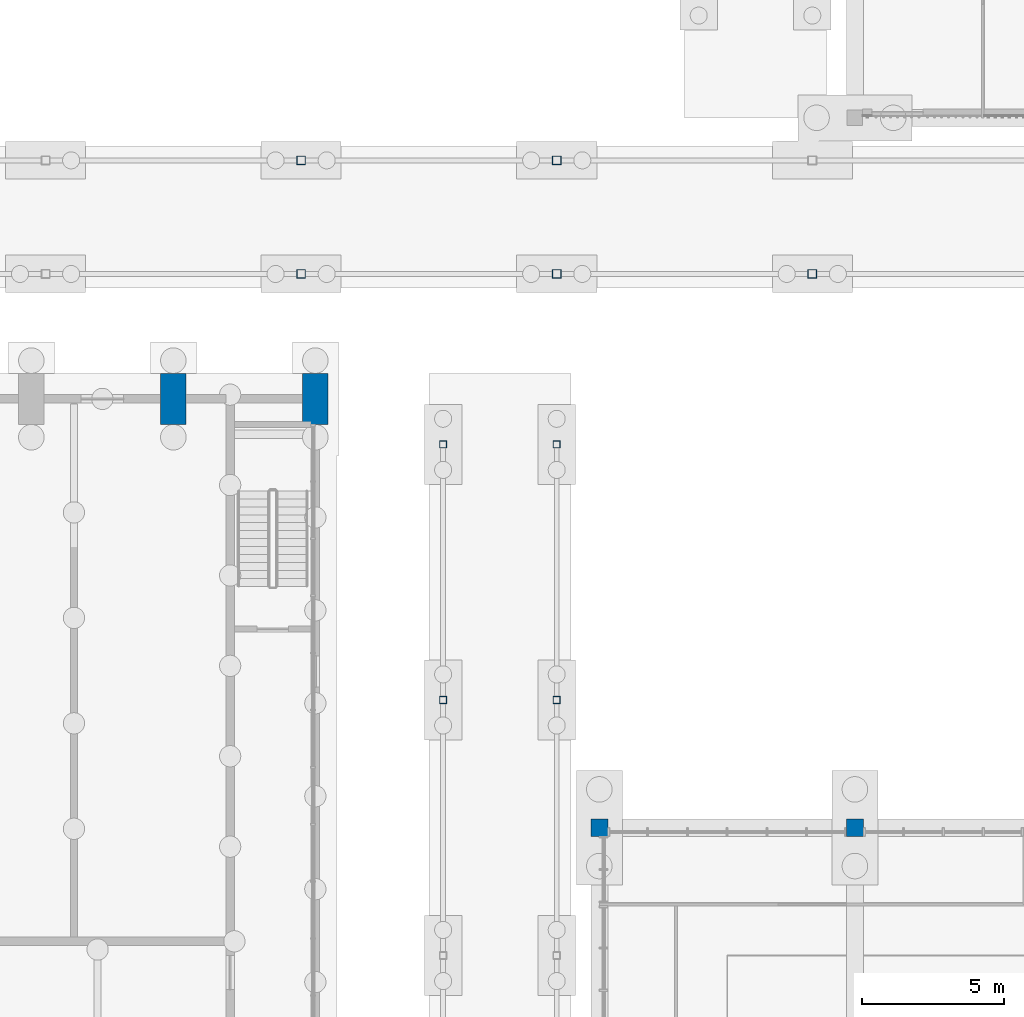
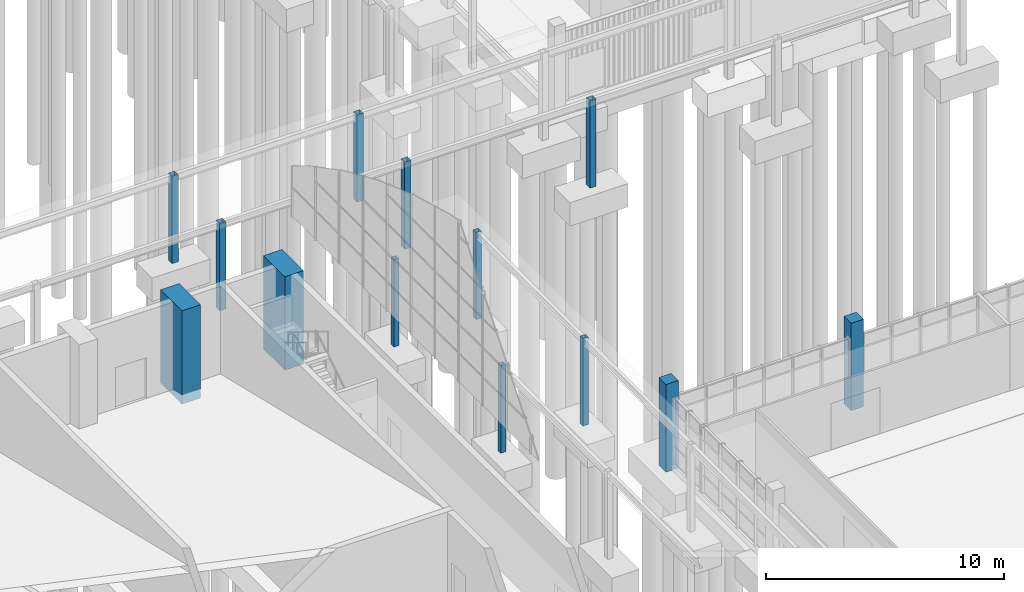
# One storey, part 12 of 106: 13 columns.
"""IFC4 building model written with IfcOpenShell, lengths in metres."""

import ifcopenshell
import ifcopenshell.guid

model = None  # the IFC model being written
_history = None  # IfcOwnerHistory: only IFC2X3 demands one
_inside = {}  # id of a spatial element -> (the spatial element, [elements in it])
_under = {}  # id of a project, library or spatial element -> (it, [spatial elements below it])
_declared = {}  # id of a project -> (the project, [libraries it declares])
_typed = {}  # id of a type object -> (the type object, [elements of that type])
_made_of = {}  # id of a material, layer set ... -> (it, [elements and type objects made of it])


def new_model(schema):
    """Start an empty IFC model of exactly this schema.

    Asked for "IFC4X3", IfcOpenShell would pick the latest addendum, in which some entities
    have other attributes; the version numbers below select the first issue.
    IFC2X3 requires an IfcOwnerHistory on every rooted entity: one is made here for all.
    """
    global model, _history
    if schema == "IFC4X3":
        model = ifcopenshell.file(schema_version=(4, 3, 0, 0))
    else:
        model = ifcopenshell.file(schema=schema)
    _inside.clear()
    _under.clear()
    _declared.clear()
    _typed.clear()
    _made_of.clear()
    _history = None
    if model.schema == "IFC2X3":
        org = make("IfcOrganization", Name="unknown")
        user = make(
            "IfcPersonAndOrganization",
            ThePerson=make("IfcPerson", FamilyName="unknown"),
            TheOrganization=org,
        )
        app = make(
            "IfcApplication",
            ApplicationDeveloper=org,
            Version="unknown",
            ApplicationFullName="unknown",
            ApplicationIdentifier="unknown",
        )
        _history = make(
            "IfcOwnerHistory",
            OwningUser=user,
            OwningApplication=app,
            ChangeAction="ADDED",
            CreationDate=0,
        )
    return model


def make(cls, **values):
    """One entity of the class cls with the attributes given. An attribute that is None is left unset."""
    return model.create_entity(
        cls, **{name: value for name, value in values.items() if value is not None}
    )


def rooted(cls, **values):
    """An entity with a GlobalId (a new one), such as an element, a storey or a relation."""
    return make(cls, GlobalId=ifcopenshell.guid.new(), OwnerHistory=_history, **values)


def si_unit(unit_type, name, prefix=None):
    """IfcSIUnit, for example si_unit("LENGTHUNIT", "METRE", prefix="MILLI")."""
    return make("IfcSIUnit", UnitType=unit_type, Prefix=prefix, Name=name)


def assignment(units):
    """IfcUnitAssignment: the units of a project."""
    return None if units is None else make("IfcUnitAssignment", Units=units)


def point(xyz):
    """IfcCartesianPoint."""
    return None if xyz is None else make("IfcCartesianPoint", Coordinates=xyz)


def direction(xyz):
    """IfcDirection."""
    return None if xyz is None else make("IfcDirection", DirectionRatios=xyz)


def frame(location, z_axis=None, x_axis=None):
    """IfcAxis2Placement3D, a coordinate frame: its origin and axes. An axis left out is left unset."""
    return make(
        "IfcAxis2Placement3D",
        Location=point(location),
        Axis=direction(z_axis),
        RefDirection=direction(x_axis),
    )


def frame_2d(location, x_axis=None):
    """IfcAxis2Placement2D, a coordinate frame in the plane: its origin and x axis."""
    return make(
        "IfcAxis2Placement2D", Location=point(location), RefDirection=direction(x_axis)
    )


def origin():
    """The frame at (0, 0, 0) with its axes left unset."""
    return frame((0.0, 0.0, 0.0))


def origin_2d():
    """The frame at (0, 0) in the plane with its x axis left unset."""
    return frame_2d((0.0, 0.0))


def place(relative_to, where):
    """IfcLocalPlacement: puts the frame where relative to a parent placement (None: the world)."""
    return make(
        "IfcLocalPlacement", PlacementRelTo=relative_to, RelativePlacement=where
    )


def context(
    kind, dimensions, precision=None, world=None, true_north=None, identifier=None
):
    """IfcGeometricRepresentationContext, for example the 3D "Model" context."""
    return make(
        "IfcGeometricRepresentationContext",
        ContextIdentifier=identifier,
        ContextType=kind,
        CoordinateSpaceDimension=dimensions,
        Precision=precision,
        WorldCoordinateSystem=world,
        TrueNorth=true_north,
    )


def subcontext(parent, identifier, kind, view, scale=None):
    """IfcGeometricRepresentationSubContext, for example "Body" below "Model"."""
    return make(
        "IfcGeometricRepresentationSubContext",
        ContextIdentifier=identifier,
        ContextType=kind,
        ParentContext=parent,
        TargetScale=scale,
        TargetView=view,
    )


def project(units=None, contexts=None):
    """IfcProject with its units and contexts."""
    return rooted(
        "IfcProject",
        Name="project",
        RepresentationContexts=contexts,
        UnitsInContext=assignment(units),
    )


def spatial(cls, under=None, at=None, **own):
    """A site, building, storey or space (cls), placed at a placement, below another one or the project."""
    s = rooted(cls, ObjectPlacement=at, **own)
    if under is not None:
        _under.setdefault(under.id(), (under, []))[1].append(s)
    return s


def profile(cls, at=None, kind="AREA", **sizes):
    """A parametric profile (cls). Its sizes go by their IFC names, for example OverallWidth=200.0."""
    return make(cls, ProfileType=kind, Position=at, **sizes)


def rectangle(**sizes):
    """IfcRectangleProfileDef."""
    return profile("IfcRectangleProfileDef", **sizes)


def hollow_rectangle(**sizes):
    """IfcRectangleHollowProfileDef."""
    return profile("IfcRectangleHollowProfileDef", **sizes)


def extrude(swept, where, along, depth):
    """IfcExtrudedAreaSolid: the profile swept, set in the frame where, extruded along a direction by depth."""
    return make(
        "IfcExtrudedAreaSolid",
        SweptArea=swept,
        Position=where,
        ExtrudedDirection=direction(along),
        Depth=depth,
    )


def shape(context_of_items, identifier, shape_type, items):
    """IfcShapeRepresentation: the items that make up one representation, for example the "Body"."""
    return make(
        "IfcShapeRepresentation",
        ContextOfItems=context_of_items,
        RepresentationIdentifier=identifier,
        RepresentationType=shape_type,
        Items=items,
    )


def material(Name=None, Category=None):
    """IfcMaterial."""
    return make("IfcMaterial", Name=Name, Category=Category)


def material_profile(
    of_material, cross_section, Name=None, Category=None, Priority=None
):
    """IfcMaterialProfile: a cross section and its material."""
    return make(
        "IfcMaterialProfile",
        Name=Name,
        Material=of_material,
        Profile=cross_section,
        Priority=Priority,
        Category=Category,
    )


def profile_set(profiles, Name=None, composite=None):
    """IfcMaterialProfileSet."""
    return make(
        "IfcMaterialProfileSet",
        Name=Name,
        MaterialProfiles=profiles,
        CompositeProfile=composite,
    )


def made_of(thing, what):
    """Note that an element or type object is made of a material, layer set ...; save() writes the relation."""
    if what is not None:
        _made_of.setdefault(what.id(), (what, []))[1].append(thing)
    return thing


def type_object(cls, material=None, **own):
    """A type object (cls), such as IfcWallType, which elements share."""
    return made_of(rooted(cls, **own), material)


def element(
    cls,
    number,
    at=None,
    inside=None,
    cuts=None,
    type_object=None,
    material=None,
    context=None,
    identifier="Body",
    shape_type=None,
    held_by="IfcProductDefinitionShape",
    body=None,
    shapes=None,
    **own,
):
    """One element of the class cls, such as IfcWall. Its Tag is "e" and its number.

    at: its placement. inside: the storey or other place that contains it. cuts: it is an
    opening in that element (IfcRelVoidsElement). A single representation is given by context,
    identifier, shape_type and body (its items); several are given by shapes. held_by: the class
    of the entity that holds the representations. save() writes the other relations.
    """
    e = rooted(cls, Tag="e%d" % number, ObjectPlacement=at, **own)
    if body is not None:
        shapes = [shape(context, identifier, shape_type, body)]
    if shapes is not None:
        e.Representation = make(held_by, Representations=shapes)
    if inside is not None:
        _inside.setdefault(inside.id(), (inside, []))[1].append(e)
    if cuts is not None:
        rooted(
            "IfcRelVoidsElement", RelatingBuildingElement=cuts, RelatedOpeningElement=e
        )
    if type_object is not None:
        _typed.setdefault(type_object.id(), (type_object, []))[1].append(e)
    return made_of(e, material)


def aggregate(whole, parts):
    """IfcRelAggregates: a whole, such as a stair, and the parts it consists of."""
    return rooted("IfcRelAggregates", RelatingObject=whole, RelatedObjects=parts)


def save(model, path):
    """Write the relations noted so far, then the file.

    IfcRelAggregates (storeys below a building ...), IfcRelContainedInSpatialStructure (elements
    in a storey), IfcRelDefinesByType, IfcRelAssociatesMaterial and IfcRelDeclares: one each for
    every whole, place, type object, material and project.
    """
    for whole, parts in _under.values():
        aggregate(whole, parts)
    for where, things in _inside.values():
        rooted(
            "IfcRelContainedInSpatialStructure",
            RelatedElements=things,
            RelatingStructure=where,
        )
    for kind, things in _typed.values():
        rooted("IfcRelDefinesByType", RelatedObjects=things, RelatingType=kind)
    for what, things in _made_of.values():
        rooted("IfcRelAssociatesMaterial", RelatedObjects=things, RelatingMaterial=what)
    for by, libraries in _declared.values():
        rooted("IfcRelDeclares", RelatingContext=by, RelatedDefinitions=libraries)
    model.write(path)


model = new_model("IFC4")

# Units and contexts
model_context = context("Model", 3, precision=1e-05, world=origin(), true_north=direction((0.0, 1.0)))
body_context = subcontext(model_context, "Body", "Model", "MODEL_VIEW")
ifc_project = project(units=[si_unit("LENGTHUNIT", "METRE"), si_unit("AREAUNIT", "SQUARE_METRE"), si_unit("VOLUMEUNIT", "CUBIC_METRE"), si_unit("PLANEANGLEUNIT", "RADIAN"), si_unit("MASSUNIT", "GRAM", prefix="KILO")], contexts=[model_context])

# Site, building, storey
site_placement = place(None, origin())
site = spatial("IfcSite", under=ifc_project, at=site_placement, CompositionType="ELEMENT")
building_placement = place(site_placement, origin())
building = spatial("IfcBuilding", under=site, at=building_placement, Name="Merrow Basin Faculty of Sciences", CompositionType="ELEMENT")
storey_placement = place(building_placement, origin())
storey = spatial("IfcBuildingStorey", under=building, at=storey_placement, Name="L00", CompositionType="ELEMENT", Elevation=0.0)

# Columns
ifc_material_1 = material(Name="Steel ASTM A500 Gr C", Category="steel")
ifc_material_profile_1 = material_profile(ifc_material_1, hollow_rectangle(XDim=0.25390625, YDim=0.25390625, WallThickness=0.0126953125, at=origin_2d()))
ifc_profile_set_1 = profile_set([ifc_material_profile_1], Name="Steel ASTM A500 Gr C")
column_type_1 = type_object("IfcColumnType", Name="Canopy column HSS254x254x12.7", PredefinedType="COLUMN", material=ifc_profile_set_1)
for number, where, z_axis, x_axis, name in (
    (1, (39.5, 40.5, -0.300048828125), (0.0, 0.0, 1.0), (1.0, 0.0, 0.0), "Canopy column P2"),
    (2, (39.5, 49.5, -0.300048828125), (0.0, 0.0, 1.0), (1.0, 0.0, 0.0), "Canopy column P2"),
    (3, (43.5, 40.5, -0.300048828125), (0.0, 0.0, 1.0), (1.0, 0.0, 0.0), "Canopy column P2"),
    (4, (43.5, 49.5, -0.300048828125), (0.0, 0.0, 1.0), (1.0, 0.0, 0.0), "Canopy column P2"),
):
    element("IfcColumn", number, at=place(storey_placement, frame(where, z_axis=z_axis, x_axis=x_axis)), inside=storey, type_object=column_type_1, Name=name, PredefinedType="COLUMN", context=body_context, shape_type="SweptSolid", body=[
        extrude(hollow_rectangle(XDim=0.25390625, YDim=0.25390625, WallThickness=0.0126953125, at=origin_2d()), origin(), (0.0, 0.0, 1.0), 4.47998046875),
    ])
ifc_material_2 = material(Name="Steel ASTM A500 Gr C", Category="steel")
ifc_material_profile_2 = material_profile(ifc_material_2, hollow_rectangle(XDim=0.304931640625, YDim=0.304931640625, WallThickness=0.0126953125, at=origin_2d()))
ifc_profile_set_2 = profile_set([ifc_material_profile_2], Name="Steel ASTM A500 Gr C")
column_type_2 = type_object("IfcColumnType", Name="Canopy column HSS305x305x12.7", PredefinedType="COLUMN", material=ifc_profile_set_2)
for number, where, z_axis, x_axis, name in (
    (5, (34.5, 55.5, -0.300048828125), (0.0, 0.0, 1.0), (1.0, 0.0, 0.0), "Canopy column P1"),
    (6, (34.5, 59.5, -0.300048828125), (0.0, 0.0, 1.0), (1.0, 0.0, 0.0), "Canopy column P1"),
    (7, (43.5, 55.5, -0.300048828125), (0.0, 0.0, 1.0), (1.0, 0.0, 0.0), "Canopy column P1"),
    (8, (43.5, 59.5, -0.300048828125), (0.0, 0.0, 1.0), (1.0, 0.0, 0.0), "Canopy column P1"),
    (9, (52.5, 55.5, -0.300048828125), (0.0, 0.0, 1.0), (1.0, 0.0, 0.0), "Canopy column P1"),
):
    element("IfcColumn", number, at=place(storey_placement, frame(where, z_axis=z_axis, x_axis=x_axis)), inside=storey, type_object=column_type_2, Name=name, PredefinedType="COLUMN", context=body_context, shape_type="SweptSolid", body=[
        extrude(hollow_rectangle(XDim=0.304931640625, YDim=0.304931640625, WallThickness=0.0126953125, at=origin_2d()), origin(), (0.0, 0.0, 1.0), 4.47998046875),
    ])
ifc_material_3 = material(Name="Concrete C40/50", Category="concrete")
ifc_material_profile_3 = material_profile(ifc_material_3, rectangle(XDim=0.60009765625, YDim=0.60009765625, at=origin_2d()))
ifc_profile_set_3 = profile_set([ifc_material_profile_3], Name="Concrete C40/50")
column_type_3 = type_object("IfcColumnType", Name="Column RC600x600 C40/50", PredefinedType="COLUMN", material=ifc_profile_set_3)
for number, where, z_axis, x_axis, name in (
    (10, (45.0, 36.0, -0.300048828125), (0.0, 0.0, 1.0), (1.0, 0.0, 0.0), "Column F11 L00"),
    (11, (54.0, 36.0, -0.300048828125), (0.0, 0.0, 1.0), (1.0, 0.0, 0.0), "Column G11 L00"),
):
    element("IfcColumn", number, at=place(storey_placement, frame(where, z_axis=z_axis, x_axis=x_axis)), inside=storey, type_object=column_type_3, Name=name, PredefinedType="COLUMN", context=body_context, shape_type="SweptSolid", body=[
        extrude(rectangle(XDim=0.60009765625, YDim=0.60009765625, at=origin_2d()), origin(), (0.0, 0.0, 1.0), 4.5),
    ])
ifc_material_4 = material(Name="Concrete C50/60", Category="concrete")
ifc_material_profile_4 = material_profile(ifc_material_4, rectangle(XDim=0.89990234375, YDim=1.800048828125, at=origin_2d()))
ifc_profile_set_4 = profile_set([ifc_material_profile_4], Name="Concrete C50/60")
column_type_4 = type_object("IfcColumnType", Name="Column RC900x1800 C50/60", PredefinedType="COLUMN", material=ifc_profile_set_4)
for number, where, z_axis, x_axis, name in (
    (12, (30.0, 51.10009765625, -0.300048828125), (0.0, 0.0, 1.0), (1.0, 0.0, 0.0), "Column Q L00"),
    (13, (35.0, 51.10009765625, -0.300048828125), (0.0, 0.0, 1.0), (1.0, 0.0, 0.0), "Column R L00"),
):
    element("IfcColumn", number, at=place(storey_placement, frame(where, z_axis=z_axis, x_axis=x_axis)), inside=storey, type_object=column_type_4, Name=name, PredefinedType="COLUMN", context=body_context, shape_type="SweptSolid", body=[
        extrude(rectangle(XDim=0.89990234375, YDim=1.800048828125, at=origin_2d()), origin(), (0.0, 0.0, 1.0), 4.800048828125),
    ])

save(model, "model.ifc")
